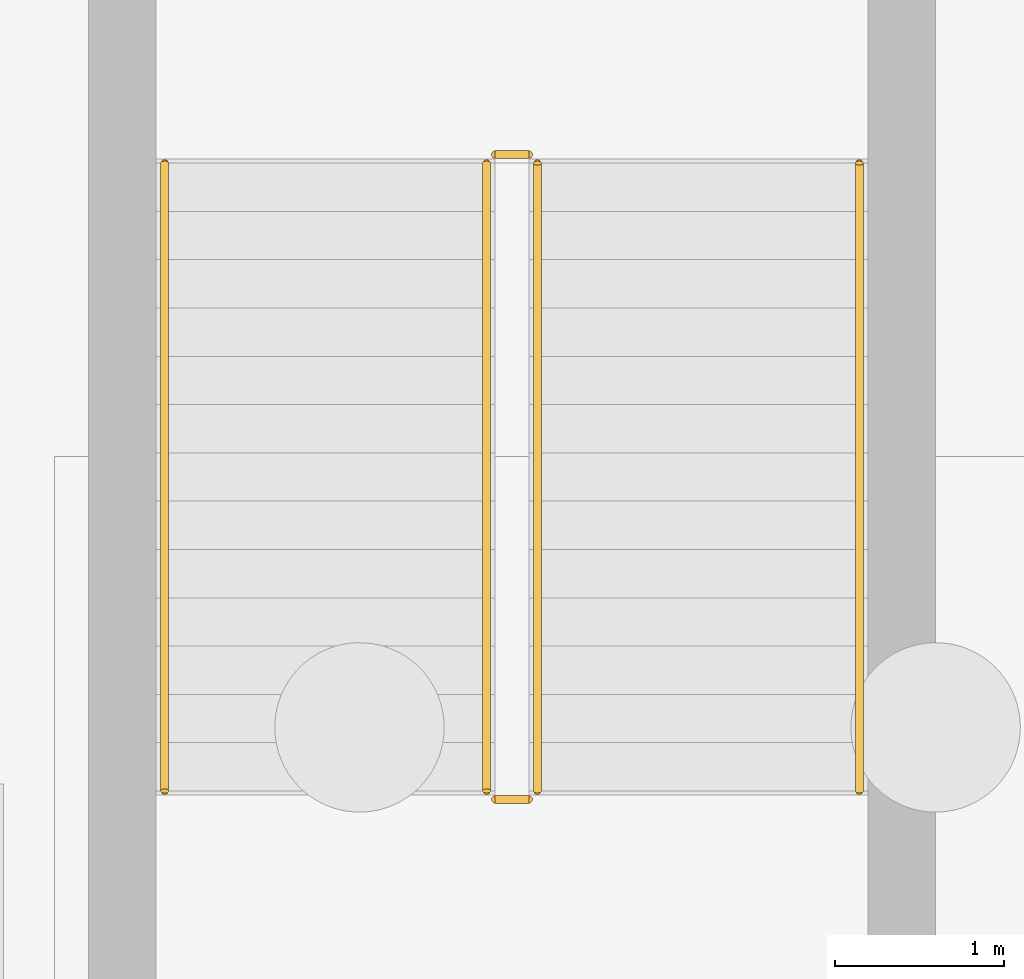
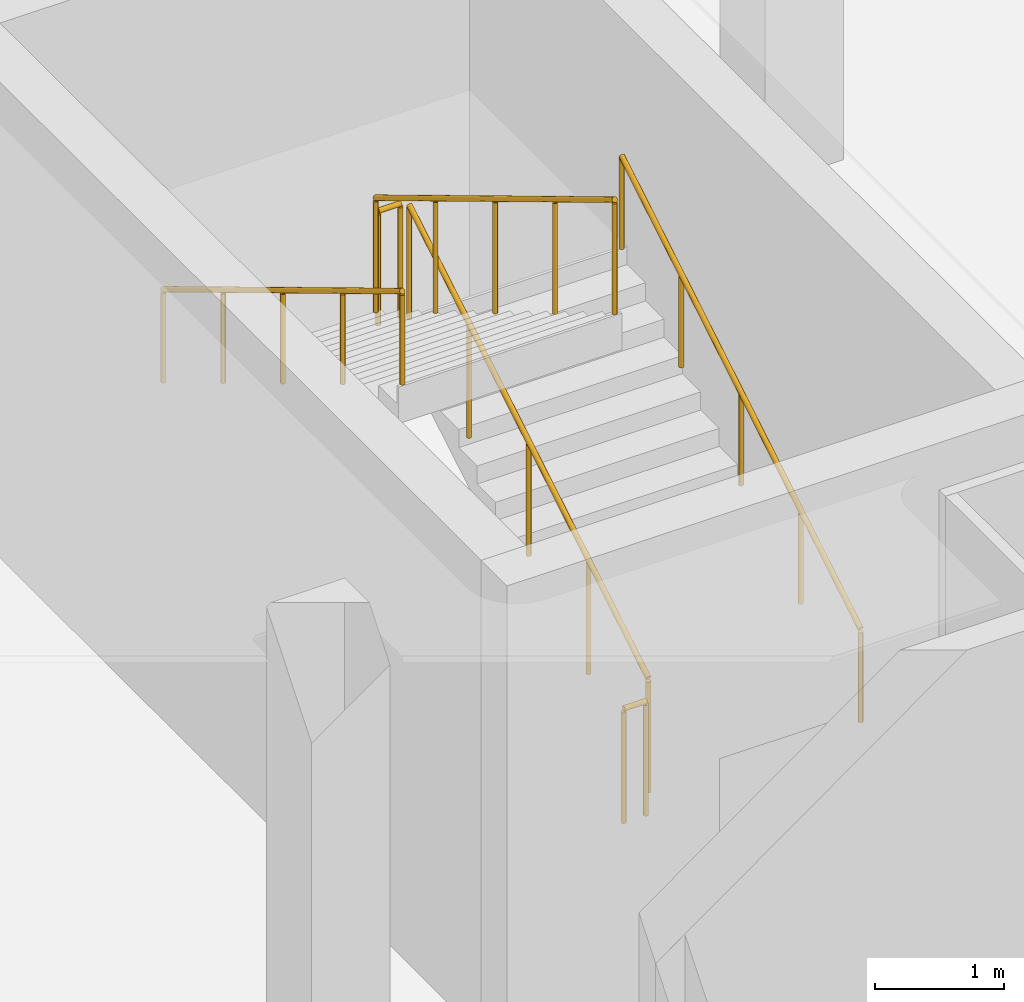
# One storey, part 63 of 67: 6 railings.
"""IFC4 building model written with IfcOpenShell, lengths in metres."""

from ifc_helpers import new_model, si_unit, direction, frame, origin, origin_2d, place, context, subcontext, project, spatial, circle, extrude, material, type_object, element, save


model = new_model("IFC4")

# Units and contexts
model_context = context("Model", 3, precision=1e-05, world=origin(), true_north=direction((0.0, 1.0)))
body_context = subcontext(model_context, "Body", "Model", "MODEL_VIEW")
ifc_project = project(units=[si_unit("LENGTHUNIT", "METRE"), si_unit("AREAUNIT", "SQUARE_METRE"), si_unit("VOLUMEUNIT", "CUBIC_METRE"), si_unit("PLANEANGLEUNIT", "RADIAN"), si_unit("MASSUNIT", "GRAM", prefix="KILO")], contexts=[model_context])

# Site, building, storey
site_placement = place(None, origin())
site = spatial("IfcSite", under=ifc_project, at=site_placement, CompositionType="ELEMENT")
building_placement = place(site_placement, origin())
building = spatial("IfcBuilding", under=site, at=building_placement, Name="Caelomonte Colonnade Arena", CompositionType="ELEMENT")
storey_placement = place(building_placement, frame((0.0, 0.0, -4.800048828125)))
storey = spatial("IfcBuildingStorey", under=building, at=storey_placement, Name="B1", CompositionType="ELEMENT", Elevation=-4.800048828125)

# Railings
ifc_material_1 = material(Name="Painted galvanized steel stair guard", Category="steel")
railing_type_1 = type_object("IfcRailingType", Name="INT-RL-GRD", PredefinedType="GUARDRAIL", material=ifc_material_1)
railing_1_placement = place(storey_placement, frame((81.050048828125, 127.199951171875, 0.17138671875)))
element("IfcRailing", 1, at=railing_1_placement, inside=storey, type_object=railing_type_1, Name="B1 ST-07 stair guard 1", PredefinedType="GUARDRAIL", context=body_context, shape_type="SweptSolid", body=[
    extrude(circle(Radius=0.02392578125, at=origin_2d()), frame((0.0, 0.0, 1.076171875), z_axis=(0.0, 0.856909459561, 0.515466951525), x_axis=(-1.0, 0.0, 0.0)), (0.0, 0.0, 1.0), 4.32373046875),
    extrude(circle(Radius=0.02099609375, at=origin_2d()), origin(), (0.0, 0.0, 1.0), 1.048095703125),
    extrude(circle(Radius=0.02099609375, at=origin_2d()), frame((0.0, 0.92626953125, 0.55712890625)), (0.0, 0.0, 1.0), 1.048095703125),
    extrude(circle(Radius=0.02099609375, at=origin_2d()), frame((0.0, 1.8525390625, 1.1142578125)), (0.0, 0.0, 1.0), 1.048095703125),
    extrude(circle(Radius=0.02099609375, at=origin_2d()), frame((0.0, 2.77880859375, 1.671630859375)), (0.0, 0.0, 1.0), 1.048095703125),
    extrude(circle(Radius=0.02099609375, at=origin_2d()), frame((0.0, 3.705078125, 2.228759765625)), (0.0, 0.0, 1.0), 1.048095703125),
])
railing_2_placement = place(storey_placement, frame((81.0, 130.955078125, 2.400146484375)))
element("IfcRailing", 2, at=railing_2_placement, inside=storey, type_object=railing_type_1, Name="B1 ST-07 stair guard 2", PredefinedType="GUARDRAIL", context=body_context, shape_type="SweptSolid", body=[
    extrude(circle(Radius=0.02392578125, at=origin_2d()), frame((0.0, 0.0, 1.076171875), z_axis=(-1.0, 0.0, 0.0), x_axis=(0.0, -1.0, 0.0)), (0.0, 0.0, 1.0), 0.199951171875),
    extrude(circle(Radius=0.02099609375, at=origin_2d()), origin(), (0.0, 0.0, 1.0), 1.048095703125),
    extrude(circle(Radius=0.02099609375, at=origin_2d()), frame((-0.199951171875, 0.0, 0.0)), (0.0, 0.0, 1.0), 1.048095703125),
])
railing_3_placement = place(storey_placement, frame((80.75, 130.905029296875, 2.571533203125)))
element("IfcRailing", 3, at=railing_3_placement, inside=storey, type_object=railing_type_1, Name="B1 ST-07 stair guard 3", PredefinedType="GUARDRAIL", context=body_context, shape_type="SweptSolid", body=[
    extrude(circle(Radius=0.02392578125, at=origin_2d()), frame((0.0, 0.0, 1.076171875), z_axis=(0.0, -0.856934400257, 0.515425487977), x_axis=(1.0, 0.0, 0.0)), (0.0, 0.0, 1.0), 4.32373046875),
    extrude(circle(Radius=0.02099609375, at=origin_2d()), origin(), (0.0, 0.0, 1.0), 1.048095703125),
    extrude(circle(Radius=0.02099609375, at=origin_2d()), frame((0.0, -0.92626953125, 0.55712890625)), (0.0, 0.0, 1.0), 1.048095703125),
    extrude(circle(Radius=0.02099609375, at=origin_2d()), frame((0.0, -1.8525390625, 1.1142578125)), (0.0, 0.0, 1.0), 1.048095703125),
    extrude(circle(Radius=0.02099609375, at=origin_2d()), frame((0.0, -2.77880859375, 1.67138671875)), (0.0, 0.0, 1.0), 1.048095703125),
    extrude(circle(Radius=0.02099609375, at=origin_2d()), frame((0.0, -3.705078125, 2.228515625)), (0.0, 0.0, 1.0), 1.048095703125),
])
railing_4_placement = place(storey_placement, frame((81.0, 127.14990234375, 0.0)))
element("IfcRailing", 4, at=railing_4_placement, inside=storey, type_object=railing_type_1, Name="B1 ST-07 stair guard 4", PredefinedType="GUARDRAIL", context=body_context, shape_type="SweptSolid", body=[
    extrude(circle(Radius=0.02392578125, at=origin_2d()), frame((0.0, 0.0, 1.076171875), z_axis=(-1.0, 0.0, 0.0), x_axis=(0.0, -1.0, 0.0)), (0.0, 0.0, 1.0), 0.199951171875),
    extrude(circle(Radius=0.02099609375, at=origin_2d()), origin(), (0.0, 0.0, 1.0), 1.048095703125),
    extrude(circle(Radius=0.02099609375, at=origin_2d()), frame((-0.199951171875, 0.0, 0.0)), (0.0, 0.0, 1.0), 1.048095703125),
])
ifc_material_2 = material(Name="Brushed stainless steel stair handrail", Category="steel")
railing_type_2 = type_object("IfcRailingType", Name="INT-RL-HR", PredefinedType="HANDRAIL", material=ifc_material_2)
railing_5_placement = place(storey_placement, frame((82.949951171875, 127.199951171875, 0.17138671875)))
element("IfcRailing", 5, at=railing_5_placement, inside=storey, type_object=railing_type_2, Name="B1 ST-07 stair handrail 1", PredefinedType="HANDRAIL", context=body_context, shape_type="SweptSolid", body=[
    extrude(circle(Radius=0.02392578125, at=origin_2d()), frame((0.0, 0.0, 0.8759765625), z_axis=(0.0, 0.856909459561, 0.515466951525), x_axis=(-1.0, 0.0, 0.0)), (0.0, 0.0, 1.0), 4.32373046875),
    extrude(circle(Radius=0.02099609375, at=origin_2d()), origin(), (0.0, 0.0, 1.0), 0.847900390625),
    extrude(circle(Radius=0.02099609375, at=origin_2d()), frame((0.0, 0.92626953125, 0.55712890625)), (0.0, 0.0, 1.0), 0.847900390625),
    extrude(circle(Radius=0.02099609375, at=origin_2d()), frame((0.0, 1.8525390625, 1.1142578125)), (0.0, 0.0, 1.0), 0.847900390625),
    extrude(circle(Radius=0.02099609375, at=origin_2d()), frame((0.0, 2.77880859375, 1.671630859375)), (0.0, 0.0, 1.0), 0.847900390625),
    extrude(circle(Radius=0.02099609375, at=origin_2d()), frame((0.0, 3.705078125, 2.228759765625)), (0.0, 0.0, 1.0), 0.847900390625),
])
railing_6_placement = place(storey_placement, frame((78.85009765625, 130.905029296875, 2.571533203125)))
element("IfcRailing", 6, at=railing_6_placement, inside=storey, type_object=railing_type_2, Name="B1 ST-07 stair handrail 2", PredefinedType="HANDRAIL", context=body_context, shape_type="SweptSolid", body=[
    extrude(circle(Radius=0.02392578125, at=origin_2d()), frame((0.0, 0.0, 0.8759765625), z_axis=(0.0, -0.856934400257, 0.515425487977), x_axis=(1.0, 0.0, 0.0)), (0.0, 0.0, 1.0), 4.32373046875),
    extrude(circle(Radius=0.02099609375, at=origin_2d()), origin(), (0.0, 0.0, 1.0), 0.847900390625),
    extrude(circle(Radius=0.02099609375, at=origin_2d()), frame((0.0, -0.92626953125, 0.55712890625)), (0.0, 0.0, 1.0), 0.847900390625),
    extrude(circle(Radius=0.02099609375, at=origin_2d()), frame((0.0, -1.8525390625, 1.1142578125)), (0.0, 0.0, 1.0), 0.847900390625),
    extrude(circle(Radius=0.02099609375, at=origin_2d()), frame((0.0, -2.77880859375, 1.67138671875)), (0.0, 0.0, 1.0), 0.847900390625),
    extrude(circle(Radius=0.02099609375, at=origin_2d()), frame((0.0, -3.705078125, 2.228515625)), (0.0, 0.0, 1.0), 0.847900390625),
])

save(model, "model.ifc")
